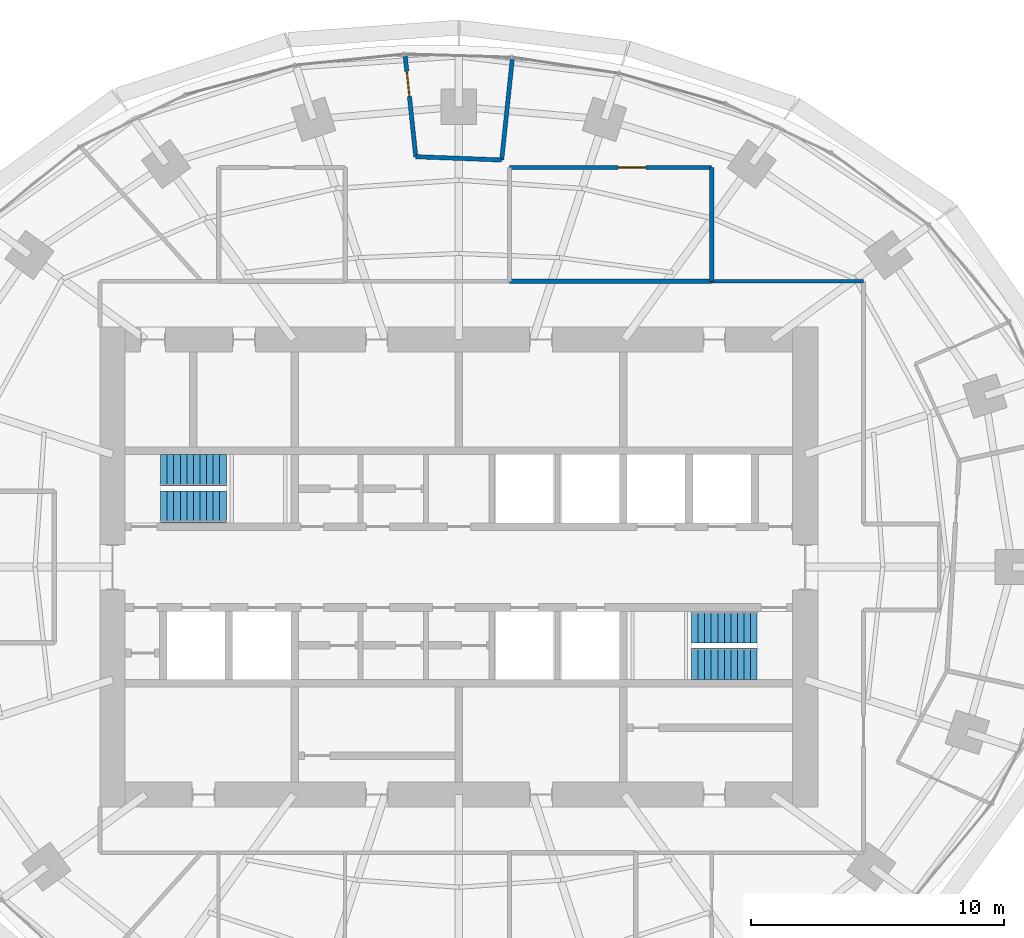
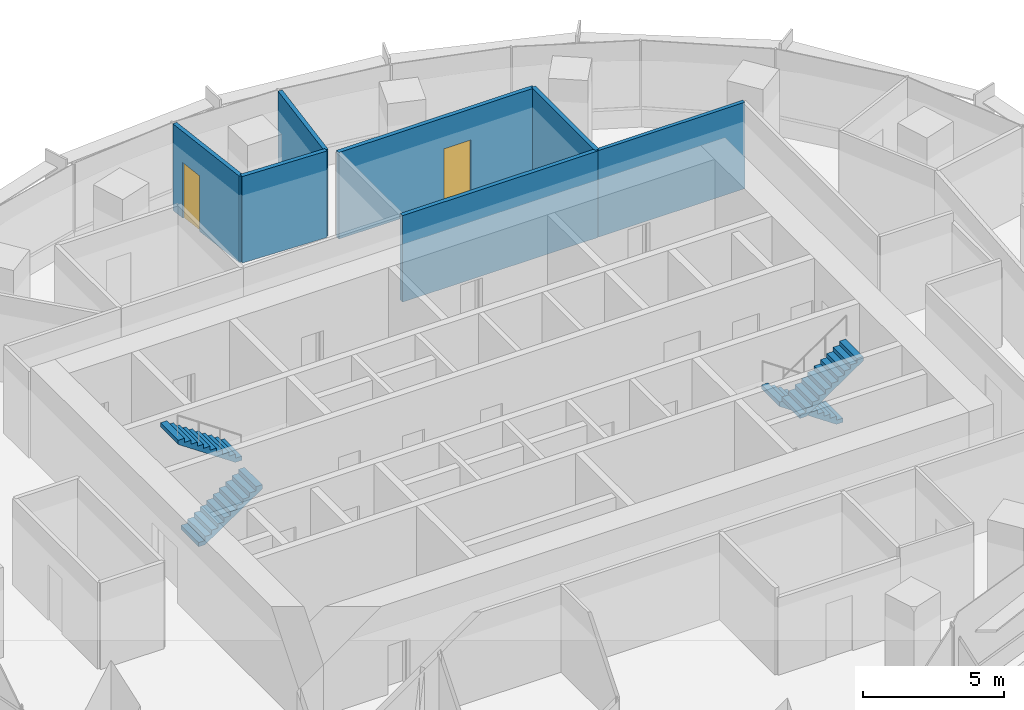
# One storey, part 13 of 15: 7 walls, 4 stair flights, 2 doors, 2 openings, 2 elements without a shape of their own.
"""IFC4 building model written with IfcOpenShell, lengths in metres."""

from ifc_helpers import new_model, si_unit, direction, frame, frame_2d, origin, place, context, subcontext, project, spatial, polyline, rectangle, outline, extrude, material, layer, layer_set, type_object, element, fill, aggregate, save


model = new_model("IFC4")

# Units and contexts
model_context = context("Model", 3, precision=1e-05, world=origin(), true_north=direction((0.0, 1.0)))
body_context = subcontext(model_context, "Body", "Model", "MODEL_VIEW")
ifc_project = project(units=[si_unit("LENGTHUNIT", "METRE"), si_unit("AREAUNIT", "SQUARE_METRE"), si_unit("VOLUMEUNIT", "CUBIC_METRE"), si_unit("PLANEANGLEUNIT", "RADIAN"), si_unit("MASSUNIT", "GRAM", prefix="KILO")], contexts=[model_context])

# Site, building, storey
site_placement = place(None, origin())
site = spatial("IfcSite", under=ifc_project, at=site_placement, CompositionType="ELEMENT")
building_placement = place(site_placement, origin())
building = spatial("IfcBuilding", under=site, at=building_placement, Name="Marramba Exchange Tower", CompositionType="ELEMENT")
storey_placement = place(building_placement, frame((0.0, 0.0, 211.10009765625)))
storey = spatial("IfcBuildingStorey", under=building, at=storey_placement, Name="L51", CompositionType="ELEMENT", Elevation=211.10009765625)

# Walls
ifc_material_1 = material(Name="Plasterboard on staggered double steel studs, acoustic insulation", Category="steel")
ifc_layer_1 = layer(ifc_material_1, 0.169921875)
ifc_layer_set_1 = layer_set([ifc_layer_1], Name="Acoustic partition 170")
wall_type_1 = type_object("IfcWallType", Name="Acoustic partition 170", PredefinedType="PARTITIONING", material=ifc_layer_set_1)
wall_1_placement = place(storey_placement, frame((10.0, 11.300048828125, 0.0), z_axis=(0.0, 0.0, 1.0), x_axis=(0.0, 1.0, 0.0)))
element("IfcWall", 1, at=wall_1_placement, inside=storey, type_object=wall_type_1, Name="Acoustic partition L51 28", PredefinedType="PARTITIONING", context=body_context, shape_type="SweptSolid", body=[
    extrude(rectangle(XDim=4.5, YDim=0.169921875, at=frame_2d((2.25, 0.0))), origin(), (0.0, 0.0, 1.0), 3.739990234375),
])
wall_2_placement = place(storey_placement, frame((2.0, 11.300048828125, 0.0), z_axis=(0.0, 0.0, 1.0), x_axis=(1.0, 0.0, 0.0)))
element("IfcWall", 2, at=wall_2_placement, inside=storey, type_object=wall_type_1, Name="Acoustic partition L51 29", PredefinedType="PARTITIONING", context=body_context, shape_type="SweptSolid", body=[
    extrude(rectangle(XDim=8.0, YDim=0.169921875, at=frame_2d((4.0, 0.0))), origin(), (0.0, 0.0, 1.0), 3.739990234375),
])

# Wall, opening, door
wall_3_placement = place(storey_placement, frame((10.0, 15.800048828125, 0.0), z_axis=(0.0, 0.0, 1.0), x_axis=(-1.0, 0.0, 0.0)))
wall_3 = element("IfcWall", 3, at=wall_3_placement, inside=storey, type_object=wall_type_1, Name="Acoustic partition L51 30", PredefinedType="PARTITIONING", context=body_context, shape_type="SweptSolid", body=[
    extrude(rectangle(XDim=8.0, YDim=0.169921875, at=frame_2d((4.0, 0.0))), origin(), (0.0, 0.0, 1.0), 3.739990234375),
])
opening_1_placement = place(wall_3_placement, frame((2.60009765625, 0.0, 0.0)))
opening_1 = element("IfcOpeningElement", 4, at=opening_1_placement, cuts=wall_3, Name="Opening D15", PredefinedType="OPENING", context=body_context, shape_type="SweptSolid", body=[
    extrude(rectangle(XDim=1.10009765625, YDim=2.39990234375, at=frame_2d((0.550048828125, 1.199951171875))), frame((0.0, 0.094970703125, 0.0), z_axis=(0.0, -1.0, 0.0), x_axis=(1.0, 0.0, 0.0)), (0.0, 0.0, 1.0), 0.18994140625),
])
ifc_material_2 = material(Name="Timber door", Category="wood")
door_type_1 = type_object("IfcDoorType", Name="Glazed meeting room door 1100x2400", OperationType="SINGLE_SWING_LEFT", PredefinedType="DOOR", material=ifc_material_2)
door_1_placement = place(opening_1_placement, origin())
door_1 = element("IfcDoor", 5, at=door_1_placement, inside=storey, type_object=door_type_1, Name="D15 Meeting Room 2 L51", OperationType="SINGLE_SWING_LEFT", OverallHeight=2.39990234375, OverallWidth=1.10009765625, PredefinedType="DOOR", context=body_context, shape_type="SweptSolid", body=[
    extrude(rectangle(XDim=1.10009765625, YDim=2.39990234375, at=frame_2d((0.550048828125, 1.199951171875))), frame((0.0, 0.02490234375, 0.0), z_axis=(0.0, -1.0, 0.0), x_axis=(1.0, 0.0, 0.0)), (0.0, 0.0, 1.0), 0.050048828125),
])
fill(opening_1, door_1)

# Walls
wall_4_placement = place(storey_placement, frame((1.692138671875, 16.099609375, 0.0), z_axis=(0.0, 0.0, 1.0), x_axis=(0.104548171712, 0.99451982373, 0.0)))
element("IfcWall", 6, at=wall_4_placement, inside=storey, type_object=wall_type_1, Name="Acoustic partition L51 32", PredefinedType="PARTITIONING", context=body_context, shape_type="SweptSolid", body=[
    extrude(rectangle(XDim=4.000244140625, YDim=0.169921875, at=frame_2d((2.0, 0.0))), origin(), (0.0, 0.0, 1.0), 3.739990234375),
])
wall_5_placement = place(storey_placement, frame((-1.705810546875, 16.22900390625, 0.0), z_axis=(0.0, 0.0, 1.0), x_axis=(0.999275737391, -0.038052603881, 0.0)))
element("IfcWall", 7, at=wall_5_placement, inside=storey, type_object=wall_type_1, Name="Acoustic partition L51 33", PredefinedType="PARTITIONING", context=body_context, shape_type="SweptSolid", body=[
    extrude(rectangle(XDim=3.400390625, YDim=0.169921875, at=frame_2d((1.7001953125, 0.0))), origin(), (0.0, 0.0, 1.0), 3.739990234375),
])

# Wall, opening, door
wall_6_placement = place(storey_placement, frame((-2.123779296875, 20.20703125, 0.0), z_axis=(0.0, 0.0, 1.0), x_axis=(0.104494148666, -0.99452550138, 0.0)))
wall_6 = element("IfcWall", 8, at=wall_6_placement, inside=storey, type_object=wall_type_1, Name="Acoustic partition L51 34", PredefinedType="PARTITIONING", context=body_context, shape_type="SweptSolid", body=[
    extrude(rectangle(XDim=4.0, YDim=0.169921875, at=frame_2d((2.0, 0.0))), origin(), (0.0, 0.0, 1.0), 3.739990234375),
])
opening_2_placement = place(wall_6_placement, frame((0.60009765625, 0.0, 0.0)))
opening_2 = element("IfcOpeningElement", 9, at=opening_2_placement, cuts=wall_6, Name="Opening D9", PredefinedType="OPENING", context=body_context, shape_type="SweptSolid", body=[
    extrude(rectangle(XDim=1.0, YDim=2.39990234375, at=frame_2d((0.5, 1.199951171875))), frame((0.0, 0.094970703125, 0.0), z_axis=(0.0, -1.0, 0.0), x_axis=(1.0, 0.0, 0.0)), (0.0, 0.0, 1.0), 0.18994140625),
])
door_type_2 = type_object("IfcDoorType", Name="Room door 1000x2400", OperationType="SINGLE_SWING_LEFT", PredefinedType="DOOR", material=ifc_material_2)
door_2_placement = place(opening_2_placement, origin())
door_2 = element("IfcDoor", 10, at=door_2_placement, inside=storey, type_object=door_type_2, Name="D9 Quiet Room 1 L51", OperationType="SINGLE_SWING_LEFT", OverallHeight=2.39990234375, OverallWidth=1.0, PredefinedType="DOOR", context=body_context, shape_type="SweptSolid", body=[
    extrude(rectangle(XDim=1.0, YDim=2.39990234375, at=frame_2d((0.5, 1.199951171875))), frame((0.0, 0.02490234375, 0.0), z_axis=(0.0, -1.0, 0.0), x_axis=(1.0, 0.0, 0.0)), (0.0, 0.0, 1.0), 0.050048828125),
])
fill(opening_2, door_2)

# Wall
ifc_material_3 = material(Name="Fire-rated plasterboard on steel studs, acoustic insulation", Category="steel")
ifc_layer_2 = layer(ifc_material_3, 0.14990234375)
ifc_layer_set_2 = layer_set([ifc_layer_2], Name="Tenancy wall 150")
wall_type_2 = type_object("IfcWallType", Name="Tenancy wall 150", PredefinedType="PARTITIONING", material=ifc_layer_set_2)
wall_7_placement = place(storey_placement, frame((16.0, 11.300048828125, 0.0), z_axis=(0.0, 0.0, 1.0), x_axis=(-1.0, 0.0, 0.0)))
element("IfcWall", 11, at=wall_7_placement, inside=storey, type_object=wall_type_2, Name="Tenancy wall L51 27", PredefinedType="PARTITIONING", context=body_context, shape_type="SweptSolid", body=[
    extrude(rectangle(XDim=6.0, YDim=0.14990234375, at=frame_2d((3.0, 0.0))), origin(), (0.0, 0.0, 1.0), 3.739990234375),
])

# Stair, stair flights
ifc_material_4 = material(Name="Concrete N40 (40 MPa)", Category="concrete")
stair_type_1 = type_object("IfcStairType", Name="Exit stair ST1 3900 x 1250", PredefinedType="HALF_TURN_STAIR", material=ifc_material_4)
stair_1_placement = place(storey_placement, origin())
stair_1 = element("IfcStair", 12, at=stair_1_placement, inside=storey, type_object=stair_type_1, Name="Exit stair ST1 L51", PredefinedType="HALF_TURN_STAIR")
stair_flight_type_1 = type_object("IfcStairFlightType", Name="ST1 stair flight 1773 riser 1250 wide", PredefinedType="STRAIGHT", material=ifc_material_4)
stair_flight_1_placement = place(storey_placement, frame((-11.800048828125, 2.375, 0.0), z_axis=(0.0, 0.0, 1.0), x_axis=(1.0, 0.0, 0.0)))
stair_flight_1 = element("IfcStairFlight", 13, at=stair_flight_1_placement, type_object=stair_flight_type_1, Name="ST1 flight 1", NumberOfRisers=11, NumberOfTreads=10, PredefinedType="STRAIGHT", RiserHeight=0.177272727, TreadLength=0.26, context=body_context, shape_type="SweptSolid", body=[
    extrude(outline(polyline([(0.0, 0.0), (0.0, 0.17724609375), (0.260009765625, 0.17724609375), (0.260009765625, 0.3544921875), (0.52001953125, 0.3544921875), (0.52001953125, 0.53173828125), (0.780029296875, 0.53173828125), (0.780029296875, 0.708984375), (1.0400390625, 0.708984375), (1.0400390625, 0.886474609375), (1.300048828125, 0.886474609375), (1.300048828125, 1.063720703125), (1.56005859375, 1.063720703125), (1.56005859375, 1.240966796875), (1.820068359375, 1.240966796875), (1.820068359375, 1.418212890625), (2.080078125, 1.418212890625), (2.080078125, 1.595458984375), (2.340087890625, 1.595458984375), (2.340087890625, 1.772705078125), (2.60009765625, 1.772705078125), (2.60009765625, 1.949951171875), (2.60009765625, 1.59130859375), (0.26611328125, 0.0), (0.0, 0.0)])), frame((0.0, 0.625, 0.0), z_axis=(0.0, -1.0, 0.0), x_axis=(1.0, 0.0, 0.0)), (0.0, 0.0, 1.0), 1.25),
])
stair_flight_2_placement = place(storey_placement, frame((-9.199951171875, 3.824951171875, 1.949951171875), z_axis=(0.0, 0.0, 1.0), x_axis=(-1.0, 0.0, 0.0)))
stair_flight_2 = element("IfcStairFlight", 14, at=stair_flight_2_placement, type_object=stair_flight_type_1, Name="ST1 flight 2", NumberOfRisers=11, NumberOfTreads=10, PredefinedType="STRAIGHT", RiserHeight=0.177272727, TreadLength=0.26, context=body_context, shape_type="SweptSolid", body=[
    extrude(outline(polyline([(0.0, 0.0), (0.0, 0.17724609375), (0.260009765625, 0.17724609375), (0.260009765625, 0.3544921875), (0.52001953125, 0.3544921875), (0.52001953125, 0.53173828125), (0.780029296875, 0.53173828125), (0.780029296875, 0.708984375), (1.0400390625, 0.708984375), (1.0400390625, 0.886474609375), (1.300048828125, 0.886474609375), (1.300048828125, 1.063720703125), (1.56005859375, 1.063720703125), (1.56005859375, 1.240966796875), (1.820068359375, 1.240966796875), (1.820068359375, 1.418212890625), (2.080078125, 1.418212890625), (2.080078125, 1.595458984375), (2.340087890625, 1.595458984375), (2.340087890625, 1.772705078125), (2.60009765625, 1.772705078125), (2.60009765625, 1.949951171875), (2.60009765625, 1.59130859375), (0.26611328125, 0.0), (0.0, 0.0)])), frame((0.0, 0.625, 0.0), z_axis=(0.0, -1.0, 0.0), x_axis=(1.0, 0.0, 0.0)), (0.0, 0.0, 1.0), 1.25),
])
aggregate(stair_1, [stair_flight_1, stair_flight_2])

stair_type_2 = type_object("IfcStairType", Name="Exit stair ST2 3900 x 1250", PredefinedType="HALF_TURN_STAIR", material=ifc_material_4)
stair_2_placement = place(storey_placement, origin())
stair_2 = element("IfcStair", 15, at=stair_2_placement, inside=storey, type_object=stair_type_2, Name="Exit stair ST2 L51", PredefinedType="HALF_TURN_STAIR")
stair_flight_type_2 = type_object("IfcStairFlightType", Name="ST2 stair flight 1773 riser 1250 wide", PredefinedType="STRAIGHT", material=ifc_material_4)
stair_flight_3_placement = place(storey_placement, frame((11.800048828125, -2.375, 0.0), z_axis=(0.0, 0.0, 1.0), x_axis=(-1.0, 0.0, 0.0)))
stair_flight_3 = element("IfcStairFlight", 16, at=stair_flight_3_placement, type_object=stair_flight_type_2, Name="ST2 flight 1", NumberOfRisers=11, NumberOfTreads=10, PredefinedType="STRAIGHT", RiserHeight=0.177272727, TreadLength=0.26, context=body_context, shape_type="SweptSolid", body=[
    extrude(outline(polyline([(0.0, 0.0), (0.0, 0.17724609375), (0.260009765625, 0.17724609375), (0.260009765625, 0.3544921875), (0.52001953125, 0.3544921875), (0.52001953125, 0.53173828125), (0.780029296875, 0.53173828125), (0.780029296875, 0.708984375), (1.0400390625, 0.708984375), (1.0400390625, 0.886474609375), (1.300048828125, 0.886474609375), (1.300048828125, 1.063720703125), (1.56005859375, 1.063720703125), (1.56005859375, 1.240966796875), (1.820068359375, 1.240966796875), (1.820068359375, 1.418212890625), (2.080078125, 1.418212890625), (2.080078125, 1.595458984375), (2.340087890625, 1.595458984375), (2.340087890625, 1.772705078125), (2.60009765625, 1.772705078125), (2.60009765625, 1.949951171875), (2.60009765625, 1.59130859375), (0.26611328125, 0.0), (0.0, 0.0)])), frame((0.0, 0.625, 0.0), z_axis=(0.0, -1.0, 0.0), x_axis=(1.0, 0.0, 0.0)), (0.0, 0.0, 1.0), 1.25),
])
stair_flight_4_placement = place(storey_placement, frame((9.199951171875, -3.824951171875, 1.949951171875), z_axis=(0.0, 0.0, 1.0), x_axis=(1.0, 0.0, 0.0)))
stair_flight_4 = element("IfcStairFlight", 17, at=stair_flight_4_placement, type_object=stair_flight_type_2, Name="ST2 flight 2", NumberOfRisers=11, NumberOfTreads=10, PredefinedType="STRAIGHT", RiserHeight=0.177272727, TreadLength=0.26, context=body_context, shape_type="SweptSolid", body=[
    extrude(outline(polyline([(0.0, 0.0), (0.0, 0.17724609375), (0.260009765625, 0.17724609375), (0.260009765625, 0.3544921875), (0.52001953125, 0.3544921875), (0.52001953125, 0.53173828125), (0.780029296875, 0.53173828125), (0.780029296875, 0.708984375), (1.0400390625, 0.708984375), (1.0400390625, 0.886474609375), (1.300048828125, 0.886474609375), (1.300048828125, 1.063720703125), (1.56005859375, 1.063720703125), (1.56005859375, 1.240966796875), (1.820068359375, 1.240966796875), (1.820068359375, 1.418212890625), (2.080078125, 1.418212890625), (2.080078125, 1.595458984375), (2.340087890625, 1.595458984375), (2.340087890625, 1.772705078125), (2.60009765625, 1.772705078125), (2.60009765625, 1.949951171875), (2.60009765625, 1.59130859375), (0.26611328125, 0.0), (0.0, 0.0)])), frame((0.0, 0.625, 0.0), z_axis=(0.0, -1.0, 0.0), x_axis=(1.0, 0.0, 0.0)), (0.0, 0.0, 1.0), 1.25),
])
aggregate(stair_2, [stair_flight_3, stair_flight_4])

save(model, "model.ifc")
